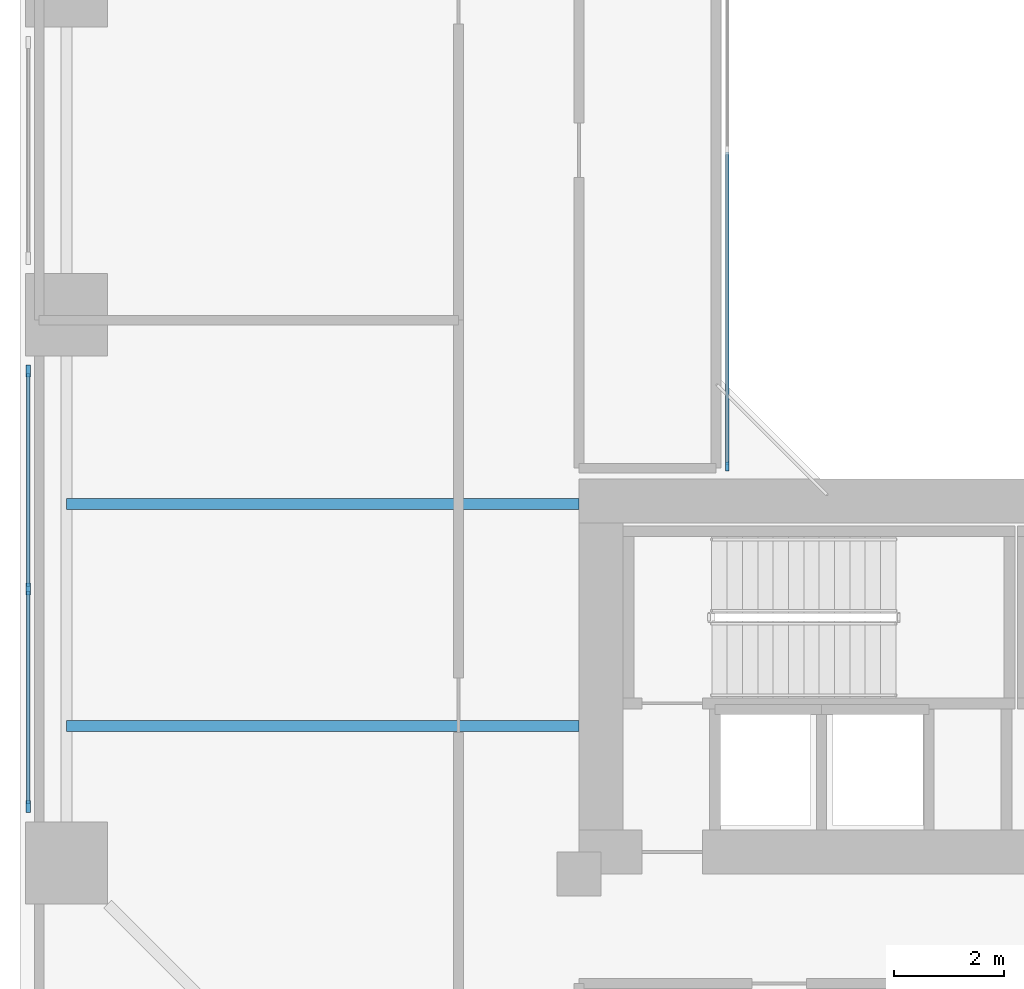
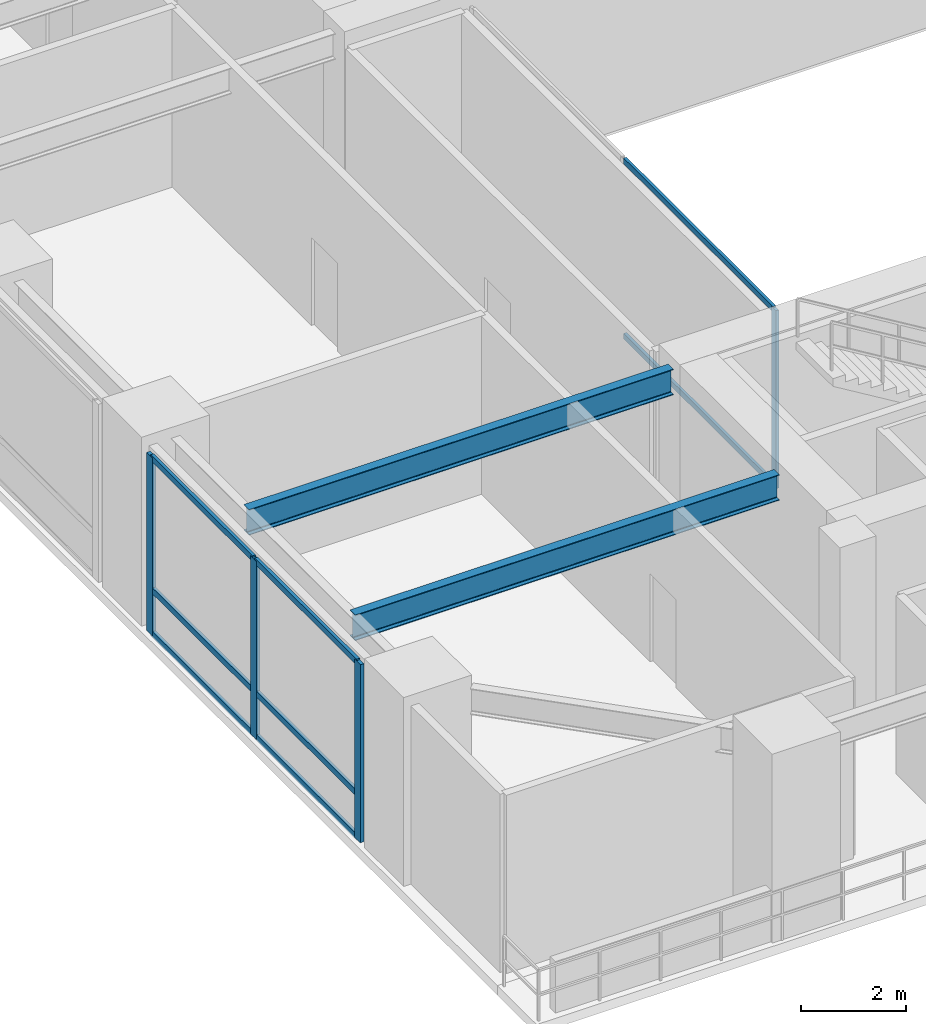
# One storey, part 2 of 20: 12 members, 2 beams, 2 elements without a shape of their own.
"""IFC4 building model written with IfcOpenShell, lengths in metres."""

from ifc_helpers import new_model, si_unit, direction, frame, origin, origin_2d, place, context, subcontext, project, spatial, rectangle, i_section, extrude, source, transform, mapped, material, layer, layer_set, material_profile, profile_set, type_object, element, aggregate, save


model = new_model("IFC4")

# Units and contexts
model_context = context("Model", 3, precision=1e-05, world=origin(), true_north=direction((0.0, 1.0)))
body_context = subcontext(model_context, "Body", "Model", "MODEL_VIEW")
ifc_project = project(units=[si_unit("LENGTHUNIT", "METRE"), si_unit("AREAUNIT", "SQUARE_METRE"), si_unit("VOLUMEUNIT", "CUBIC_METRE"), si_unit("PLANEANGLEUNIT", "RADIAN"), si_unit("MASSUNIT", "GRAM", prefix="KILO"), si_unit("THERMODYNAMICTEMPERATUREUNIT", "KELVIN"), si_unit("POWERUNIT", "WATT")], contexts=[model_context])

# Site, building, storey
site_placement = place(None, origin())
site = spatial("IfcSite", under=ifc_project, at=site_placement, CompositionType="ELEMENT")
building_placement = place(site_placement, origin())
building = spatial("IfcBuilding", under=site, at=building_placement, Name="Qiaomeng Ring Towers", CompositionType="ELEMENT")
storey_placement = place(building_placement, frame((0.0, 0.0, 13.800048828125)))
storey = spatial("IfcBuildingStorey", under=building, at=storey_placement, Name="L03", CompositionType="ELEMENT", Elevation=13.800048828125)

# Beams
ifc_material_1 = material(Name="Steel Q355B", Category="steel")
ifc_material_profile_1 = material_profile(ifc_material_1, i_section(OverallWidth=0.199951171875, OverallDepth=0.60009765625, WebThickness=0.010986328125, FlangeThickness=0.01708984375, FilletRadius=0.02197265625, at=origin_2d()), Name="HN 600x200x11x17")
ifc_profile_set_1 = profile_set([ifc_material_profile_1], Name="Steel Q355B")
beam_type = type_object("IfcBeamType", Name="STR-BM-HN600", PredefinedType="BEAM", material=ifc_profile_set_1)
shared_shape_1 = source(origin(), body_context, "Body", "SweptSolid", [
    extrude(i_section(OverallWidth=0.199951171875, OverallDepth=0.60009765625, WebThickness=0.010986328125, FlangeThickness=0.01708984375, FilletRadius=0.02197265625, at=origin_2d()), origin(), (0.0, 0.0, 1.0), 9.349853515625),
])
for number, where, z_axis, x_axis, name in (
    (1, (0.85009765625, 12.5, 3.849853515625), (1.0, 0.0, 0.0), (0.0, 1.0, 0.0), "L03 beam STR-BM-L03-W-0"),
    (2, (0.85009765625, 16.550048828125, 3.849853515625), (1.0, 0.0, 0.0), (0.0, 1.0, 0.0), "L03 beam STR-BM-L03-W-1"),
):
    element("IfcBeam", number, at=place(storey_placement, frame(where, z_axis=z_axis, x_axis=x_axis)), inside=storey, type_object=beam_type, Name=name, PredefinedType="BEAM", context=body_context, shape_type="MappedRepresentation", body=[
        mapped(shared_shape_1, transform((0.0, 0.0, 0.0), x_axis=(1.0, 0.0, 0.0), y_axis=(0.0, 1.0, 0.0), z_axis=(0.0, 0.0, 1.0), scale=1.0)),
    ])

# Curtain wall, members
ifc_material_2 = material(Name="Fluorocarbon dark-grey aluminium", Category="aluminium")
ifc_layer_1 = layer(ifc_material_2, 0.179931640625, Name="Fluorocarbon dark-grey aluminium")
ifc_layer_set_1 = layer_set([ifc_layer_1], Name="Fluorocarbon dark-grey aluminium")
curtain_wall_type_1 = type_object("IfcCurtainWallType", Name="ARC-CW-1", PredefinedType="NOTDEFINED", material=ifc_layer_set_1)
curtain_wall_1_placement = place(storey_placement, origin())
curtain_wall_1 = element("IfcCurtainWall", 3, at=curtain_wall_1_placement, inside=storey, type_object=curtain_wall_type_1, Name="L03 Curtain Wall CW1", PredefinedType="NOTDEFINED")
ifc_material_profile_2 = material_profile(ifc_material_2, rectangle(XDim=0.070068359375, YDim=0.139892578125, at=origin_2d()), Name="ALU TRAN 70x140")
ifc_profile_set_2 = profile_set([ifc_material_profile_2], Name="Fluorocarbon dark-grey aluminium")
member_type_1 = type_object("IfcMemberType", Name="ARC-CWT-140", PredefinedType="USERDEFINED", material=ifc_profile_set_2)
shared_shape_2 = source(origin(), body_context, "Body", "SweptSolid", [
    extrude(rectangle(XDim=0.070068359375, YDim=0.139892578125, at=origin_2d()), origin(), (0.0, 0.0, 1.0), 3.889892578125),
])
member_1_placement = place(storey_placement, frame((0.14990234375, 11.070068359375, 0.034912109375), z_axis=(0.0, 1.0, 0.0), x_axis=(-1.0, 0.0, 0.0)))
member_1 = element("IfcMember", 4, at=member_1_placement, type_object=member_type_1, Name="CW1 transom 1.1", ObjectType="TRANSOM", PredefinedType="USERDEFINED", context=body_context, shape_type="MappedRepresentation", body=[
    mapped(shared_shape_2, transform((0.0, 0.0, 0.0), x_axis=(1.0, 0.0, 0.0), y_axis=(0.0, 1.0, 0.0), z_axis=(0.0, 0.0, 1.0), scale=1.0)),
])
member_2_placement = place(storey_placement, frame((0.14990234375, 11.070068359375, 1.050048828125), z_axis=(0.0, 1.0, 0.0), x_axis=(-1.0, 0.0, 0.0)))
member_2 = element("IfcMember", 5, at=member_2_placement, type_object=member_type_1, Name="CW1 transom 1.2", ObjectType="TRANSOM", PredefinedType="USERDEFINED", context=body_context, shape_type="MappedRepresentation", body=[
    mapped(shared_shape_2, transform((0.0, 0.0, 0.0), x_axis=(1.0, 0.0, 0.0), y_axis=(0.0, 1.0, 0.0), z_axis=(0.0, 0.0, 1.0), scale=1.0)),
])
member_3_placement = place(storey_placement, frame((0.14990234375, 11.070068359375, 4.114990234375), z_axis=(0.0, 1.0, 0.0), x_axis=(-1.0, 0.0, 0.0)))
member_3 = element("IfcMember", 6, at=member_3_placement, type_object=member_type_1, Name="CW1 transom 1.3", ObjectType="TRANSOM", PredefinedType="USERDEFINED", context=body_context, shape_type="MappedRepresentation", body=[
    mapped(shared_shape_2, transform((0.0, 0.0, 0.0), x_axis=(1.0, 0.0, 0.0), y_axis=(0.0, 1.0, 0.0), z_axis=(0.0, 0.0, 1.0), scale=1.0)),
])
member_4_placement = place(storey_placement, frame((0.14990234375, 15.0400390625, 0.034912109375), z_axis=(0.0, 1.0, 0.0), x_axis=(-1.0, 0.0, 0.0)))
member_4 = element("IfcMember", 7, at=member_4_placement, type_object=member_type_1, Name="CW1 transom 2.1", ObjectType="TRANSOM", PredefinedType="USERDEFINED", context=body_context, shape_type="MappedRepresentation", body=[
    mapped(shared_shape_2, transform((0.0, 0.0, 0.0), x_axis=(1.0, 0.0, 0.0), y_axis=(0.0, 1.0, 0.0), z_axis=(0.0, 0.0, 1.0), scale=1.0)),
])
member_5_placement = place(storey_placement, frame((0.14990234375, 15.0400390625, 1.050048828125), z_axis=(0.0, 1.0, 0.0), x_axis=(-1.0, 0.0, 0.0)))
member_5 = element("IfcMember", 8, at=member_5_placement, type_object=member_type_1, Name="CW1 transom 2.2", ObjectType="TRANSOM", PredefinedType="USERDEFINED", context=body_context, shape_type="MappedRepresentation", body=[
    mapped(shared_shape_2, transform((0.0, 0.0, 0.0), x_axis=(1.0, 0.0, 0.0), y_axis=(0.0, 1.0, 0.0), z_axis=(0.0, 0.0, 1.0), scale=1.0)),
])
member_6_placement = place(storey_placement, frame((0.14990234375, 15.0400390625, 4.114990234375), z_axis=(0.0, 1.0, 0.0), x_axis=(-1.0, 0.0, 0.0)))
member_6 = element("IfcMember", 9, at=member_6_placement, type_object=member_type_1, Name="CW1 transom 2.3", ObjectType="TRANSOM", PredefinedType="USERDEFINED", context=body_context, shape_type="MappedRepresentation", body=[
    mapped(shared_shape_2, transform((0.0, 0.0, 0.0), x_axis=(1.0, 0.0, 0.0), y_axis=(0.0, 1.0, 0.0), z_axis=(0.0, 0.0, 1.0), scale=1.0)),
])

ifc_layer_2 = layer(ifc_material_2, 0.139892578125, Name="Fluorocarbon dark-grey aluminium")
ifc_layer_set_2 = layer_set([ifc_layer_2], Name="Fluorocarbon dark-grey aluminium")
curtain_wall_type_2 = type_object("IfcCurtainWallType", Name="ARC-CW-4", PredefinedType="NOTDEFINED", material=ifc_layer_set_2)
curtain_wall_2_placement = place(storey_placement, origin())
curtain_wall_2 = element("IfcCurtainWall", 10, at=curtain_wall_2_placement, inside=storey, type_object=curtain_wall_type_2, Name="L03 Curtain Wall CW4", PredefinedType="NOTDEFINED")
ifc_material_profile_3 = material_profile(ifc_material_2, rectangle(XDim=0.06494140625, YDim=0.1298828125, at=origin_2d()), Name="ALU TRAN 65x130")
ifc_profile_set_3 = profile_set([ifc_material_profile_3], Name="Fluorocarbon dark-grey aluminium")
member_type_2 = type_object("IfcMemberType", Name="ARC-CWT-120", PredefinedType="USERDEFINED", material=ifc_profile_set_3)
shared_shape_3 = source(origin(), body_context, "Body", "SweptSolid", [
    extrude(rectangle(XDim=0.06494140625, YDim=0.1298828125, at=origin_2d()), origin(), (0.0, 0.0, 1.0), 5.70263671875),
])
member_7_placement = place(storey_placement, frame((12.89990234375, 17.264892578125, 0.032470703125), z_axis=(0.0, 1.0, 0.0), x_axis=(-1.0, 0.0, 0.0)))
member_7 = element("IfcMember", 11, at=member_7_placement, type_object=member_type_2, Name="CW4 transom 1.1", ObjectType="TRANSOM", PredefinedType="USERDEFINED", context=body_context, shape_type="MappedRepresentation", body=[
    mapped(shared_shape_3, transform((0.0, 0.0, 0.0), x_axis=(1.0, 0.0, 0.0), y_axis=(0.0, 1.0, 0.0), z_axis=(0.0, 0.0, 1.0), scale=1.0)),
])
member_8_placement = place(storey_placement, frame((12.89990234375, 17.264892578125, 4.117431640625), z_axis=(0.0, 1.0, 0.0), x_axis=(-1.0, 0.0, 0.0)))
member_8 = element("IfcMember", 12, at=member_8_placement, type_object=member_type_2, Name="CW4 transom 1.2", ObjectType="TRANSOM", PredefinedType="USERDEFINED", context=body_context, shape_type="MappedRepresentation", body=[
    mapped(shared_shape_3, transform((0.0, 0.0, 0.0), x_axis=(1.0, 0.0, 0.0), y_axis=(0.0, 1.0, 0.0), z_axis=(0.0, 0.0, 1.0), scale=1.0)),
])

# Member
ifc_material_profile_4 = material_profile(ifc_material_2, rectangle(XDim=0.080078125, YDim=0.219970703125, at=origin_2d()), Name="ALU MULL 80x220")
ifc_profile_set_4 = profile_set([ifc_material_profile_4], Name="Fluorocarbon dark-grey aluminium")
member_type_3 = type_object("IfcMemberType", Name="ARC-CWM-180", PredefinedType="MULLION", material=ifc_profile_set_4)
shared_shape_4 = source(origin(), body_context, "Body", "SweptSolid", [
    extrude(rectangle(XDim=0.080078125, YDim=0.219970703125, at=origin_2d()), origin(), (0.0, 0.0, 1.0), 4.14990234375),
])
member_9_placement = place(storey_placement, frame((0.14990234375, 11.030029296875, 0.0), z_axis=(0.0, 0.0, 1.0), x_axis=(-1.0, 0.0, 0.0)))
member_9 = element("IfcMember", 13, at=member_9_placement, type_object=member_type_3, Name="CW1 mullion 1", PredefinedType="MULLION", context=body_context, shape_type="MappedRepresentation", body=[
    mapped(shared_shape_4, transform((0.0, 0.0, 0.0), x_axis=(1.0, 0.0, 0.0), y_axis=(0.0, 1.0, 0.0), z_axis=(0.0, 0.0, 1.0), scale=1.0)),
])

member_10_placement = place(storey_placement, frame((0.14990234375, 15.0, 0.0), z_axis=(0.0, 0.0, 1.0), x_axis=(-1.0, 0.0, 0.0)))
member_10 = element("IfcMember", 14, at=member_10_placement, type_object=member_type_3, Name="CW1 mullion 2", PredefinedType="MULLION", context=body_context, shape_type="MappedRepresentation", body=[
    mapped(shared_shape_4, transform((0.0, 0.0, 0.0), x_axis=(1.0, 0.0, 0.0), y_axis=(0.0, 1.0, 0.0), z_axis=(0.0, 0.0, 1.0), scale=1.0)),
])

member_11_placement = place(storey_placement, frame((0.14990234375, 18.969970703125, 0.0), z_axis=(0.0, 0.0, 1.0), x_axis=(-1.0, 0.0, 0.0)))
member_11 = element("IfcMember", 15, at=member_11_placement, type_object=member_type_3, Name="CW1 mullion 3", PredefinedType="MULLION", context=body_context, shape_type="MappedRepresentation", body=[
    mapped(shared_shape_4, transform((0.0, 0.0, 0.0), x_axis=(1.0, 0.0, 0.0), y_axis=(0.0, 1.0, 0.0), z_axis=(0.0, 0.0, 1.0), scale=1.0)),
])

aggregate(curtain_wall_1, [member_9, member_10, member_11, member_1, member_2, member_3, member_4, member_5, member_6])

ifc_material_profile_5 = material_profile(ifc_material_2, rectangle(XDim=0.06494140625, YDim=0.159912109375, at=origin_2d()), Name="ALU MULL 65x160")
ifc_profile_set_5 = profile_set([ifc_material_profile_5], Name="Fluorocarbon dark-grey aluminium")
member_type_4 = type_object("IfcMemberType", Name="ARC-CWM-140", PredefinedType="MULLION", material=ifc_profile_set_5)
shared_shape_5 = source(origin(), body_context, "Body", "SweptSolid", [
    extrude(rectangle(XDim=0.06494140625, YDim=0.159912109375, at=origin_2d()), origin(), (0.0, 0.0, 1.0), 4.14990234375),
])
member_12_placement = place(storey_placement, frame((12.89990234375, 17.232421875, 0.0), z_axis=(0.0, 0.0, 1.0), x_axis=(-1.0, 0.0, 0.0)))
member_12 = element("IfcMember", 16, at=member_12_placement, type_object=member_type_4, Name="CW4 mullion 1", PredefinedType="MULLION", context=body_context, shape_type="MappedRepresentation", body=[
    mapped(shared_shape_5, transform((0.0, 0.0, 0.0), x_axis=(1.0, 0.0, 0.0), y_axis=(0.0, 1.0, 0.0), z_axis=(0.0, 0.0, 1.0), scale=1.0)),
])

aggregate(curtain_wall_2, [member_12, member_7, member_8])

save(model, "model.ifc")
